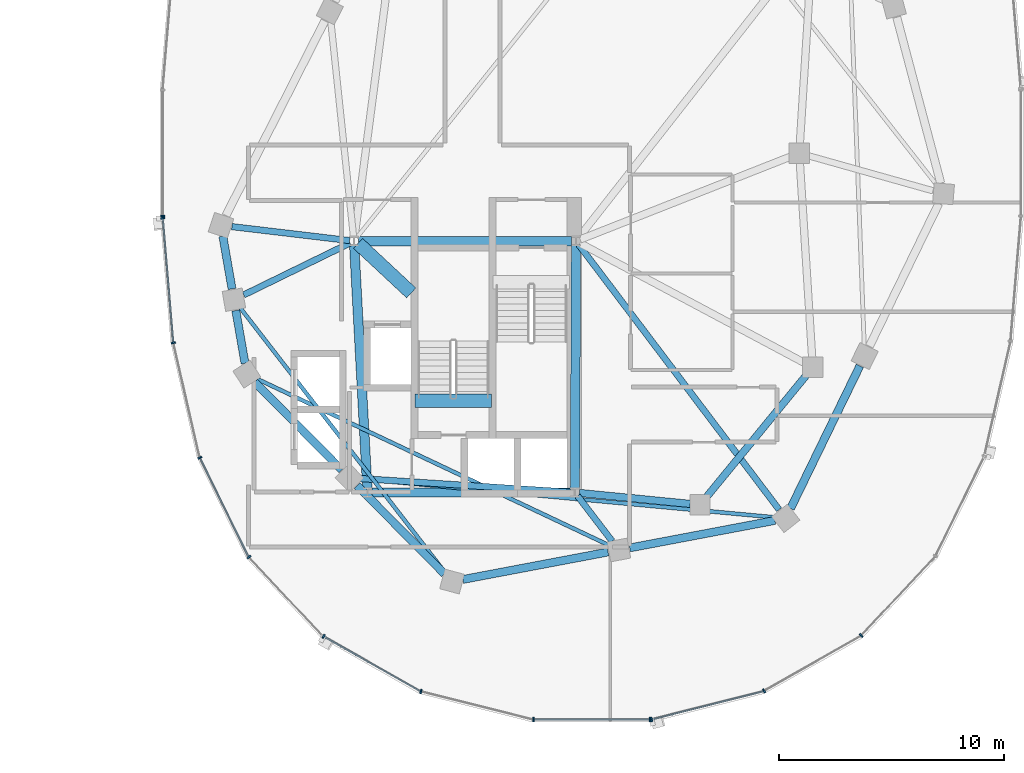
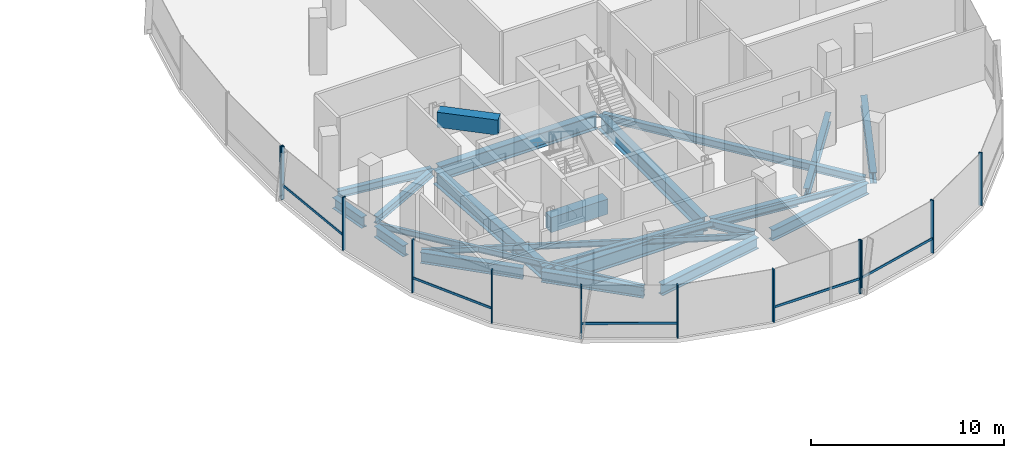
# One storey, part 8 of 25: 23 beams, 17 members, 3 elements without a shape of their own.
"""IFC4 building model written with IfcOpenShell, lengths in metres."""

from ifc_helpers import new_model, si_unit, direction, frame, origin, origin_2d, place, context, subcontext, project, spatial, rectangle, i_section, extrude, material, material_profile, profile_set, type_object, element, aggregate, save


model = new_model("IFC4")

# Units and contexts
model_context = context("Model", 3, precision=1e-05, world=origin(), true_north=direction((0.0, 1.0)))
body_context = subcontext(model_context, "Body", "Model", "MODEL_VIEW")
ifc_project = project(units=[si_unit("LENGTHUNIT", "METRE"), si_unit("AREAUNIT", "SQUARE_METRE"), si_unit("VOLUMEUNIT", "CUBIC_METRE"), si_unit("PLANEANGLEUNIT", "RADIAN"), si_unit("MASSUNIT", "GRAM", prefix="KILO"), si_unit("THERMODYNAMICTEMPERATUREUNIT", "KELVIN"), si_unit("POWERUNIT", "WATT")], contexts=[model_context])

# Site, building, storey
site_placement = place(None, origin())
site = spatial("IfcSite", under=ifc_project, at=site_placement, CompositionType="ELEMENT")
building_placement = place(site_placement, origin())
building = spatial("IfcBuilding", under=site, at=building_placement, Name="Cundina Bronze Exchange", CompositionType="ELEMENT")
storey_placement = place(building_placement, frame((0.0, 0.0, 191.800048828125)))
storey = spatial("IfcBuildingStorey", under=building, at=storey_placement, Name="L50", CompositionType="ELEMENT", Elevation=191.800048828125)

# Beams
ifc_material_1 = material(Name="Concrete C60/75", Category="concrete")
ifc_material_profile_1 = material_profile(ifc_material_1, rectangle(XDim=0.60009765625, YDim=0.949951171875, at=origin_2d()), Name="RC600X950", Category="concrete")
ifc_profile_set_1 = profile_set([ifc_material_profile_1], Name="Concrete C60/75")
beam_type_1 = type_object("IfcBeamType", Name="BM-COUP-RC950", PredefinedType="LINTEL", material=ifc_profile_set_1)
beam_1_placement = place(storey_placement, frame((24.159912109375, -10.97998046875, -0.47509765625), z_axis=(1.0, 0.0, 0.0), x_axis=(0.0, 1.0, 0.0)))
element("IfcBeam", 1, at=beam_1_placement, inside=storey, type_object=beam_type_1, Name="L50 Stair E2 Landing Header Beam", PredefinedType="LINTEL", context=body_context, shape_type="SweptSolid", body=[
    extrude(rectangle(XDim=0.60009765625, YDim=0.949951171875, at=origin_2d()), origin(), (0.0, 0.0, 1.0), 3.400146484375),
])
beam_2_placement = place(storey_placement, frame((21.6298828125, -4.0, 2.864990234375), z_axis=(0.731490439815, -0.681851696822, 0.0), x_axis=(0.681851696822, 0.731490439815, 0.0)))
element("IfcBeam", 2, at=beam_2_placement, inside=storey, type_object=beam_type_1, Name="L50 E Core Shear Coupling Lintel Beam", PredefinedType="LINTEL", context=body_context, shape_type="SweptSolid", body=[
    extrude(rectangle(XDim=0.60009765625, YDim=0.949951171875, at=origin_2d()), origin(), (0.0, 0.0, 1.0), 3.226318359375),
])
ifc_material_2 = material(Name="Steel ASTM A992 Grade 50", Category="steel")
ifc_material_profile_2 = material_profile(ifc_material_2, i_section(OverallWidth=0.280029296875, OverallDepth=0.462890625, WebThickness=0.0107421875, FlangeThickness=0.017333984375, FilletRadius=0.011962890625, at=origin_2d()), Name="W18X76", Category="steel")
ifc_profile_set_2 = profile_set([ifc_material_profile_2], Name="Steel ASTM A992 Grade 50")
beam_type_2 = type_object("IfcBeamType", Name="BM-FLR-W18A", PredefinedType="BEAM", material=ifc_profile_set_2)
beam_3_placement = place(storey_placement, frame((21.25537109375, -3.876953125, -0.491455078125), z_axis=(-0.993035696545, 0.11781385906, 0.0), x_axis=(-0.11781385906, -0.993035696545, 0.0)))
element("IfcBeam", 3, at=beam_3_placement, inside=storey, type_object=beam_type_2, Name="L50 Leg E Chordal Floor Beam 00", PredefinedType="BEAM", context=body_context, shape_type="SweptSolid", body=[
    extrude(i_section(OverallWidth=0.280029296875, OverallDepth=0.462890625, WebThickness=0.0107421875, FlangeThickness=0.017333984375, FilletRadius=0.011962890625, at=origin_2d()), origin(), (0.0, 0.0, 1.0), 5.25732421875),
])
beam_4_placement = place(storey_placement, frame((21.27392578125, -3.986083984375, -0.491455078125), z_axis=(-0.898616200552, -0.438735597035, 0.0), x_axis=(0.438735597035, -0.898616200552, 0.0)))
element("IfcBeam", 4, at=beam_4_placement, inside=storey, type_object=beam_type_2, Name="L50 Leg E Chordal Floor Beam 01", PredefinedType="BEAM", context=body_context, shape_type="SweptSolid", body=[
    extrude(i_section(OverallWidth=0.280029296875, OverallDepth=0.462890625, WebThickness=0.0107421875, FlangeThickness=0.017333984375, FilletRadius=0.011962890625, at=origin_2d()), origin(), (0.0, 0.0, 1.0), 5.241943359375),
])
beam_5_placement = place(storey_placement, frame((31.054443359375, -15.037353515625, -0.491455078125), z_axis=(-0.997893595035, 0.064871973831, 0.0), x_axis=(-0.064871973831, -0.997893595035, 0.0)))
element("IfcBeam", 5, at=beam_5_placement, inside=storey, type_object=beam_type_2, Name="L50 Leg E Chordal Floor Beam 03", PredefinedType="BEAM", context=body_context, shape_type="SweptSolid", body=[
    extrude(i_section(OverallWidth=0.280029296875, OverallDepth=0.462890625, WebThickness=0.0107421875, FlangeThickness=0.017333984375, FilletRadius=0.011962890625, at=origin_2d()), origin(), (0.0, 0.0, 1.0), 9.337158203125),
])
beam_6_placement = place(storey_placement, frame((31.369140625, -15.205810546875, -0.491455078125), z_axis=(0.607442932683, -0.794363319605, 0.0), x_axis=(0.794363319605, 0.607442932683, 0.0)))
element("IfcBeam", 6, at=beam_6_placement, inside=storey, type_object=beam_type_2, Name="L50 Leg E Chordal Floor Beam 05", PredefinedType="BEAM", context=body_context, shape_type="SweptSolid", body=[
    extrude(i_section(OverallWidth=0.280029296875, OverallDepth=0.462890625, WebThickness=0.0107421875, FlangeThickness=0.017333984375, FilletRadius=0.011962890625, at=origin_2d()), origin(), (0.0, 0.0, 1.0), 2.526123046875),
])
beam_7_placement = place(storey_placement, frame((31.418212890625, -4.056396484375, -0.491455078125), z_axis=(0.60310750356, -0.797659914468, 0.0), x_axis=(0.797659914468, 0.60310750356, 0.0)))
element("IfcBeam", 7, at=beam_7_placement, inside=storey, type_object=beam_type_2, Name="L50 Leg E Chordal Floor Beam 06", PredefinedType="BEAM", context=body_context, shape_type="SweptSolid", body=[
    extrude(i_section(OverallWidth=0.280029296875, OverallDepth=0.462890625, WebThickness=0.0107421875, FlangeThickness=0.017333984375, FilletRadius=0.011962890625, at=origin_2d()), origin(), (0.0, 0.0, 1.0), 14.736083984375),
])
ifc_material_profile_3 = material_profile(ifc_material_2, i_section(OverallWidth=0.172119140625, OverallDepth=0.35791015625, WebThickness=0.0078125, FlangeThickness=0.01318359375, FilletRadius=0.010009765625, at=origin_2d()), Name="W14X38", Category="steel")
ifc_profile_set_3 = profile_set([ifc_material_profile_3], Name="Steel ASTM A992 Grade 50")
beam_type_3 = type_object("IfcBeamType", Name="BM-JST-W14", PredefinedType="JOIST", material=ifc_profile_set_3)
beam_8_placement = place(storey_placement, frame((16.423583984375, -6.885986328125, -0.43896484375), z_axis=(0.61208354334, -0.790793105668, 0.0), x_axis=(0.790793105668, 0.61208354334, 0.0)))
element("IfcBeam", 8, at=beam_8_placement, inside=storey, type_object=beam_type_3, Name="L50 Leg E Lobe Floor Joist 01-04", PredefinedType="JOIST", context=body_context, shape_type="SweptSolid", body=[
    extrude(i_section(OverallWidth=0.172119140625, OverallDepth=0.35791015625, WebThickness=0.0078125, FlangeThickness=0.01318359375, FilletRadius=0.010009765625, at=origin_2d()), origin(), (0.0, 0.0, 1.0), 14.830810546875),
])
beam_9_placement = place(storey_placement, frame((17.14111328125, -10.008544921875, -0.43896484375), z_axis=(0.904074252188, -0.427375416385, 0.0), x_axis=(0.427375416385, 0.904074252188, 0.0)))
element("IfcBeam", 9, at=beam_9_placement, inside=storey, type_object=beam_type_3, Name="L50 Leg E Lobe Floor Joist 02-05", PredefinedType="JOIST", context=body_context, shape_type="SweptSolid", body=[
    extrude(i_section(OverallWidth=0.172119140625, OverallDepth=0.35791015625, WebThickness=0.0078125, FlangeThickness=0.01318359375, FilletRadius=0.010009765625, at=origin_2d()), origin(), (0.0, 0.0, 1.0), 17.274658203125),
])
beam_10_placement = place(storey_placement, frame((21.73583984375, -14.4453125, -0.43896484375), z_axis=(0.995701840093, -0.092616659595, 0.0), x_axis=(0.092616659595, 0.995701840093, 0.0)))
element("IfcBeam", 10, at=beam_10_placement, inside=storey, type_object=beam_type_3, Name="L50 Leg E Lobe Floor Joist 03-06", PredefinedType="JOIST", context=body_context, shape_type="SweptSolid", body=[
    extrude(i_section(OverallWidth=0.172119140625, OverallDepth=0.35791015625, WebThickness=0.0078125, FlangeThickness=0.01318359375, FilletRadius=0.010009765625, at=origin_2d()), origin(), (0.0, 0.0, 1.0), 18.45751953125),
])
ifc_material_profile_4 = material_profile(ifc_material_2, i_section(OverallWidth=0.324951171875, OverallDepth=0.615966796875, WebThickness=0.013916015625, FlangeThickness=0.021484375, FilletRadius=0.01611328125, at=origin_2d()), Name="W24X117", Category="steel")
ifc_profile_set_4 = profile_set([ifc_material_profile_4], Name="Steel ASTM A992 Grade 50")
beam_type_4 = type_object("IfcBeamType", Name="BM-RING-W24", PredefinedType="USERDEFINED", material=ifc_profile_set_4)
beam_11_placement = place(storey_placement, frame((31.445068359375, -15.0693359375, -0.568115234375), z_axis=(0.995123854478, -0.09863323096, 0.0), x_axis=(0.09863323096, 0.995123854478, 0.0)))
element("IfcBeam", 11, at=beam_11_placement, inside=storey, type_object=beam_type_4, Name="L50 E Inner Structural Ring Girder 01", ObjectType="GIRDER", PredefinedType="USERDEFINED", context=body_context, shape_type="SweptSolid", body=[
    extrude(i_section(OverallWidth=0.324951171875, OverallDepth=0.615966796875, WebThickness=0.013916015625, FlangeThickness=0.021484375, FilletRadius=0.01611328125, at=origin_2d()), origin(), (0.0, 0.0, 1.0), 4.943115234375),
])
beam_12_placement = place(storey_placement, frame((37.07763671875, -15.26123046875, -0.568115234375), z_axis=(0.633912590175, 0.77340469873, 0.0), x_axis=(-0.77340469873, 0.633912590175, 0.0)))
element("IfcBeam", 12, at=beam_12_placement, inside=storey, type_object=beam_type_4, Name="L50 E Inner Structural Ring Girder 02", ObjectType="GIRDER", PredefinedType="USERDEFINED", context=body_context, shape_type="SweptSolid", body=[
    extrude(i_section(OverallWidth=0.324951171875, OverallDepth=0.615966796875, WebThickness=0.013916015625, FlangeThickness=0.021484375, FilletRadius=0.01611328125, at=origin_2d()), origin(), (0.0, 0.0, 1.0), 7.01123046875),
])
ifc_material_profile_5 = material_profile(ifc_material_2, i_section(OverallWidth=0.35498046875, OverallDepth=0.695068359375, WebThickness=0.015380859375, FlangeThickness=0.02490234375, FilletRadius=0.01806640625, at=origin_2d()), Name="W27X146", Category="steel")
ifc_profile_set_5 = profile_set([ifc_material_profile_5], Name="Steel ASTM A992 Grade 50")
beam_type_5 = type_object("IfcBeamType", Name="BM-RING-W27", PredefinedType="USERDEFINED", material=ifc_profile_set_5)
for number, where, z_axis, x_axis, name in (
    (13, (15.6337890625, -3.680908203125, -0.607666015625), (0.171666718895, -0.985155083032, 0.0), (0.985155083032, 0.171666718895, 0.0), "L50 E Perimeter Ring Girder 00"),
    (14, (16.208740234375, -6.980712890625, -0.607666015625), (0.171666718895, -0.985155083032, 0.0), (0.985155083032, 0.171666718895, 0.0), "L50 E Perimeter Ring Girder 01"),
):
    element("IfcBeam", number, at=place(storey_placement, frame(where, z_axis=z_axis, x_axis=x_axis)), inside=storey, type_object=beam_type_5, Name=name, ObjectType="GIRDER", PredefinedType="USERDEFINED", context=body_context, shape_type="SweptSolid", body=[
        extrude(i_section(OverallWidth=0.35498046875, OverallDepth=0.695068359375, WebThickness=0.015380859375, FlangeThickness=0.02490234375, FilletRadius=0.01806640625, at=origin_2d()), origin(), (0.0, 0.0, 1.0), 2.37353515625),
    ])
beam_13_placement = place(storey_placement, frame((17.043212890625, -10.14697265625, -0.607666015625), z_axis=(0.703230112979, -0.710962311378, 0.0), x_axis=(0.710962311378, 0.703230112979, 0.0)))
element("IfcBeam", 15, at=beam_13_placement, inside=storey, type_object=beam_type_5, Name="L50 E Perimeter Ring Girder 02", ObjectType="GIRDER", PredefinedType="USERDEFINED", context=body_context, shape_type="SweptSolid", body=[
    extrude(i_section(OverallWidth=0.35498046875, OverallDepth=0.695068359375, WebThickness=0.015380859375, FlangeThickness=0.02490234375, FilletRadius=0.01806640625, at=origin_2d()), origin(), (0.0, 0.0, 1.0), 5.493896484375),
])
beam_14_placement = place(storey_placement, frame((21.59326171875, -14.746826171875, -0.607666015625), z_axis=(0.703207895705, -0.710984286337, 0.0), x_axis=(0.710984286337, 0.703207895705, 0.0)))
element("IfcBeam", 16, at=beam_14_placement, inside=storey, type_object=beam_type_5, Name="L50 E Perimeter Ring Girder 03", ObjectType="GIRDER", PredefinedType="USERDEFINED", context=body_context, shape_type="SweptSolid", body=[
    extrude(i_section(OverallWidth=0.35498046875, OverallDepth=0.695068359375, WebThickness=0.015380859375, FlangeThickness=0.02490234375, FilletRadius=0.01806640625, at=origin_2d()), origin(), (0.0, 0.0, 1.0), 5.494140625),
])
beam_15_placement = place(storey_placement, frame((26.279541015625, -18.9091796875, -0.607666015625), z_axis=(0.982571532667, 0.185884865421, 0.0), x_axis=(-0.185884865421, 0.982571532667, 0.0)))
element("IfcBeam", 17, at=beam_15_placement, inside=storey, type_object=beam_type_5, Name="L50 E Perimeter Ring Girder 04", ObjectType="GIRDER", PredefinedType="USERDEFINED", context=body_context, shape_type="SweptSolid", body=[
    extrude(i_section(OverallWidth=0.35498046875, OverallDepth=0.695068359375, WebThickness=0.015380859375, FlangeThickness=0.02490234375, FilletRadius=0.01806640625, at=origin_2d()), origin(), (0.0, 0.0, 1.0), 6.55517578125),
])
beam_16_placement = place(storey_placement, frame((33.679443359375, -17.50927734375, -0.607666015625), z_axis=(0.982572819495, 0.185878063226, 0.0), x_axis=(-0.185878063226, 0.982572819495, 0.0)))
element("IfcBeam", 18, at=beam_16_placement, inside=storey, type_object=beam_type_5, Name="L50 E Perimeter Ring Girder 05", ObjectType="GIRDER", PredefinedType="USERDEFINED", context=body_context, shape_type="SweptSolid", body=[
    extrude(i_section(OverallWidth=0.35498046875, OverallDepth=0.695068359375, WebThickness=0.015380859375, FlangeThickness=0.02490234375, FilletRadius=0.01806640625, at=origin_2d()), origin(), (0.0, 0.0, 1.0), 6.555419921875),
])
beam_17_placement = place(storey_placement, frame((40.8134765625, -15.760986328125, -0.607666015625), z_axis=(0.437196998825, 0.89936576776, 0.0), x_axis=(-0.89936576776, 0.437196998825, 0.0)))
element("IfcBeam", 19, at=beam_17_placement, inside=storey, type_object=beam_type_5, Name="L50 E Perimeter Ring Girder 06", ObjectType="GIRDER", PredefinedType="USERDEFINED", context=body_context, shape_type="SweptSolid", body=[
    extrude(i_section(OverallWidth=0.35498046875, OverallDepth=0.695068359375, WebThickness=0.015380859375, FlangeThickness=0.02490234375, FilletRadius=0.01806640625, at=origin_2d()), origin(), (0.0, 0.0, 1.0), 7.029541015625),
])
ifc_material_profile_6 = material_profile(ifc_material_2, i_section(OverallWidth=0.41796875, OverallDepth=0.927001953125, WebThickness=0.019287109375, FlangeThickness=0.031982421875, FilletRadius=0.02392578125, at=origin_2d()), Name="W36X231", Category="steel")
ifc_profile_set_6 = profile_set([ifc_material_profile_6], Name="Steel ASTM A992 Grade 50")
beam_type_6 = type_object("IfcBeamType", Name="BM-WRN-W36B", PredefinedType="USERDEFINED", material=ifc_profile_set_6)
beam_18_placement = place(storey_placement, frame((31.10400390625, -3.89990234375, -0.7236328125), z_axis=(-1.0, 0.0, 0.0), x_axis=(0.0, -1.0, 0.0)))
element("IfcBeam", 20, at=beam_18_placement, inside=storey, type_object=beam_type_6, Name="L50 E Core Perimeter Tie Girder 1", ObjectType="GIRDER", PredefinedType="USERDEFINED", context=body_context, shape_type="SweptSolid", body=[
    extrude(i_section(OverallWidth=0.41796875, OverallDepth=0.927001953125, WebThickness=0.019287109375, FlangeThickness=0.031982421875, FilletRadius=0.02392578125, at=origin_2d()), origin(), (0.0, 0.0, 1.0), 9.4580078125),
])
beam_19_placement = place(storey_placement, frame((21.46044921875, -4.095703125, -0.7236328125), z_axis=(0.053749317644, -0.998554460634, 0.0), x_axis=(0.998554460634, 0.053749317644, 0.0)))
element("IfcBeam", 21, at=beam_19_placement, inside=storey, type_object=beam_type_6, Name="L50 E Core Perimeter Tie Girder 2", ObjectType="GIRDER", PredefinedType="USERDEFINED", context=body_context, shape_type="SweptSolid", body=[
    extrude(i_section(OverallWidth=0.41796875, OverallDepth=0.927001953125, WebThickness=0.019287109375, FlangeThickness=0.031982421875, FilletRadius=0.02392578125, at=origin_2d()), origin(), (0.0, 0.0, 1.0), 10.774169921875),
])
beam_20_placement = place(storey_placement, frame((22.24609375, -15.050048828125, -0.7236328125), z_axis=(1.0, 0.0, 0.0), x_axis=(0.0, 1.0, 0.0)))
element("IfcBeam", 22, at=beam_20_placement, inside=storey, type_object=beam_type_6, Name="L50 E Core Perimeter Tie Girder 3", ObjectType="GIRDER", PredefinedType="USERDEFINED", context=body_context, shape_type="SweptSolid", body=[
    extrude(i_section(OverallWidth=0.41796875, OverallDepth=0.927001953125, WebThickness=0.019287109375, FlangeThickness=0.031982421875, FilletRadius=0.02392578125, at=origin_2d()), origin(), (0.0, 0.0, 1.0), 8.807861328125),
])
beam_21_placement = place(storey_placement, frame((31.2509765625, -14.85400390625, -0.7236328125), z_axis=(0.004470623654, 0.999990006712, 0.0), x_axis=(-0.999990006712, 0.004470623654, 0.0)))
element("IfcBeam", 23, at=beam_21_placement, inside=storey, type_object=beam_type_6, Name="L50 E Core Perimeter Tie Girder 4", ObjectType="GIRDER", PredefinedType="USERDEFINED", context=body_context, shape_type="SweptSolid", body=[
    extrude(i_section(OverallWidth=0.41796875, OverallDepth=0.927001953125, WebThickness=0.019287109375, FlangeThickness=0.031982421875, FilletRadius=0.02392578125, at=origin_2d()), origin(), (0.0, 0.0, 1.0), 10.758056640625),
])

# Curtain wall, member
ifc_material_3 = material(Name="Anodised Bronze Aluminium 6063-T6", Category="aluminium")
curtain_wall_type = type_object("IfcCurtainWallType", Name="CWS-UPP-OFF", PredefinedType="NOTDEFINED", material=ifc_material_3)
curtain_wall_1_placement = place(storey_placement, origin())
curtain_wall_1 = element("IfcCurtainWall", 24, at=curtain_wall_1_placement, inside=storey, type_object=curtain_wall_type, Name="L50 CW-05 Curtain Wall Run CWR-L50-E2", PredefinedType="NOTDEFINED")
ifc_material_profile_7 = material_profile(ifc_material_3, rectangle(XDim=0.070068359375, YDim=0.18994140625, at=origin_2d()), Name="AL70X190", Category="aluminium")
ifc_profile_set_7 = profile_set([ifc_material_profile_7], Name="Anodised Bronze Aluminium 6063-T6")
member_type_1 = type_object("IfcMemberType", Name="CWM-MUL-190", PredefinedType="MULLION", material=ifc_profile_set_7)
member_1_placement = place(storey_placement, frame((12.966064453125, -2.794921875, 0.0), z_axis=(0.0, 0.0, 1.0), x_axis=(0.0, -1.0, 0.0)))
member_1 = element("IfcMember", 25, at=member_1_placement, type_object=member_type_1, Name="CW-05 End Mullion", PredefinedType="MULLION", context=body_context, shape_type="SweptSolid", body=[
    extrude(rectangle(XDim=0.070068359375, YDim=0.18994140625, at=origin_2d()), origin(), (0.0, 0.0, 1.0), 3.33984375),
])
aggregate(curtain_wall_1, [member_1])

# Curtain wall, members
curtain_wall_2_placement = place(storey_placement, origin())
curtain_wall_2 = element("IfcCurtainWall", 26, at=curtain_wall_2_placement, inside=storey, type_object=curtain_wall_type, Name="L50 CW-05 Curtain Wall Run CWR-L50-E3", PredefinedType="NOTDEFINED")
member_2_placement = place(storey_placement, frame((12.9697265625, -2.88330078125, 0.0), z_axis=(0.0, 0.0, 1.0), x_axis=(0.083677843332, -0.99649285925, 0.0)))
member_2 = element("IfcMember", 27, at=member_2_placement, type_object=member_type_1, Name="CW-05 Mullion 1", PredefinedType="MULLION", context=body_context, shape_type="SweptSolid", body=[
    extrude(rectangle(XDim=0.070068359375, YDim=0.18994140625, at=origin_2d()), origin(), (0.0, 0.0, 1.0), 3.33984375),
])
member_3_placement = place(storey_placement, frame((13.43994140625, -8.4111328125, 0.0), z_axis=(0.0, 0.0, 1.0), x_axis=(0.223250116011, -0.974761194191, 0.0)))
member_3 = element("IfcMember", 28, at=member_3_placement, type_object=member_type_1, Name="CW-05 Mullion 2", PredefinedType="MULLION", context=body_context, shape_type="SweptSolid", body=[
    extrude(rectangle(XDim=0.070068359375, YDim=0.18994140625, at=origin_2d()), origin(), (0.0, 0.0, 1.0), 3.33984375),
])
member_4_placement = place(storey_placement, frame((14.61572265625, -13.50732421875, 0.0), z_axis=(0.0, 0.0, 1.0), x_axis=(0.440566004113, -0.897720221461, 0.0)))
member_4 = element("IfcMember", 29, at=member_4_placement, type_object=member_type_1, Name="CW-05 Mullion 3", PredefinedType="MULLION", context=body_context, shape_type="SweptSolid", body=[
    extrude(rectangle(XDim=0.070068359375, YDim=0.18994140625, at=origin_2d()), origin(), (0.0, 0.0, 1.0), 3.33984375),
])
member_5_placement = place(storey_placement, frame((16.790283203125, -17.91796875, 0.0), z_axis=(0.0, 0.0, 1.0), x_axis=(0.684292606175, -0.729207535023, 0.0)))
member_5 = element("IfcMember", 30, at=member_5_placement, type_object=member_type_1, Name="CW-05 Mullion 4", PredefinedType="MULLION", context=body_context, shape_type="SweptSolid", body=[
    extrude(rectangle(XDim=0.070068359375, YDim=0.18994140625, at=origin_2d()), origin(), (0.0, 0.0, 1.0), 3.33984375),
])
member_6_placement = place(storey_placement, frame((20.100341796875, -21.43115234375, 0.0), z_axis=(0.0, 0.0, 1.0), x_axis=(0.86958112538, -0.493790103568, 0.0)))
member_6 = element("IfcMember", 31, at=member_6_placement, type_object=member_type_1, Name="CW-05 Mullion 5", PredefinedType="MULLION", context=body_context, shape_type="SweptSolid", body=[
    extrude(rectangle(XDim=0.070068359375, YDim=0.18994140625, at=origin_2d()), origin(), (0.0, 0.0, 1.0), 3.33984375),
])
member_7_placement = place(storey_placement, frame((24.422607421875, -23.87548828125, 0.0), z_axis=(0.0, 0.0, 1.0), x_axis=(0.969744325821, -0.244122802168, 0.0)))
member_7 = element("IfcMember", 32, at=member_7_placement, type_object=member_type_1, Name="CW-05 Mullion 6", PredefinedType="MULLION", context=body_context, shape_type="SweptSolid", body=[
    extrude(rectangle(XDim=0.070068359375, YDim=0.18994140625, at=origin_2d()), origin(), (0.0, 0.0, 1.0), 3.33984375),
])
member_8_placement = place(storey_placement, frame((29.419921875, -25.125, 0.0), z_axis=(0.0, 0.0, 1.0), x_axis=(1.0, 0.0, 0.0)))
member_8 = element("IfcMember", 33, at=member_8_placement, type_object=member_type_1, Name="CW-05 Mullion 7", PredefinedType="MULLION", context=body_context, shape_type="SweptSolid", body=[
    extrude(rectangle(XDim=0.070068359375, YDim=0.18994140625, at=origin_2d()), origin(), (0.0, 0.0, 1.0), 3.33984375),
])
member_9_placement = place(storey_placement, frame((34.580078125, -25.125, 0.0), z_axis=(0.0, 0.0, 1.0), x_axis=(1.0, 0.0, 0.0)))
member_9 = element("IfcMember", 34, at=member_9_placement, type_object=member_type_1, Name="CW-05 End Mullion", PredefinedType="MULLION", context=body_context, shape_type="SweptSolid", body=[
    extrude(rectangle(XDim=0.070068359375, YDim=0.18994140625, at=origin_2d()), origin(), (0.0, 0.0, 1.0), 3.33984375),
])

curtain_wall_3_placement = place(storey_placement, origin())
curtain_wall_3 = element("IfcCurtainWall", 35, at=curtain_wall_3_placement, inside=storey, type_object=curtain_wall_type, Name="L50 CW-05 Curtain Wall Run CWR-L50-E4", PredefinedType="NOTDEFINED")
member_10_placement = place(storey_placement, frame((34.6484375, -25.116455078125, 0.0), z_axis=(0.0, 0.0, 1.0), x_axis=(0.969744325821, 0.244122802168, 0.0)))
member_10 = element("IfcMember", 36, at=member_10_placement, type_object=member_type_1, Name="CW-05 Mullion 1", PredefinedType="MULLION", context=body_context, shape_type="SweptSolid", body=[
    extrude(rectangle(XDim=0.070068359375, YDim=0.18994140625, at=origin_2d()), origin(), (0.0, 0.0, 1.0), 3.33984375),
])
member_11_placement = place(storey_placement, frame((39.638916015625, -23.850830078125, 0.0), z_axis=(0.0, 0.0, 1.0), x_axis=(0.86958112538, 0.493790103568, 0.0)))
member_11 = element("IfcMember", 37, at=member_11_placement, type_object=member_type_1, Name="CW-05 Mullion 2", PredefinedType="MULLION", context=body_context, shape_type="SweptSolid", body=[
    extrude(rectangle(XDim=0.070068359375, YDim=0.18994140625, at=origin_2d()), origin(), (0.0, 0.0, 1.0), 3.33984375),
])
member_12_placement = place(storey_placement, frame((43.94873046875, -21.392578125, 0.0), z_axis=(0.0, 0.0, 1.0), x_axis=(0.684292606175, 0.729207535023, 0.0)))
member_12 = element("IfcMember", 38, at=member_12_placement, type_object=member_type_1, Name="CW-05 Mullion 3", PredefinedType="MULLION", context=body_context, shape_type="SweptSolid", body=[
    extrude(rectangle(XDim=0.070068359375, YDim=0.18994140625, at=origin_2d()), origin(), (0.0, 0.0, 1.0), 3.33984375),
])

# Member
ifc_material_profile_8 = material_profile(ifc_material_3, rectangle(XDim=0.06494140625, YDim=0.14990234375, at=origin_2d()), Name="AL65X150", Category="aluminium")
ifc_profile_set_8 = profile_set([ifc_material_profile_8], Name="Anodised Bronze Aluminium 6063-T6")
member_type_2 = type_object("IfcMemberType", Name="CWM-TRN-150", PredefinedType="USERDEFINED", material=ifc_profile_set_8)
member_13_placement = place(storey_placement, frame((12.972900390625, -2.921630859375, 0.919921875), z_axis=(0.083740331158, -0.996487610027, 0.0), x_axis=(0.996487610027, 0.083740331158, 0.0)))
member_13 = element("IfcMember", 39, at=member_13_placement, type_object=member_type_2, Name="CW-05 Spandrel Transom 1", ObjectType="TRANSOM", PredefinedType="USERDEFINED", context=body_context, shape_type="SweptSolid", body=[
    extrude(rectangle(XDim=0.06494140625, YDim=0.14990234375, at=origin_2d()), origin(), (0.0, 0.0, 1.0), 5.466552734375),
])

member_14_placement = place(storey_placement, frame((14.6328125, -13.5419921875, 0.919921875), z_axis=(0.440483110889, -0.897760897467, 0.0), x_axis=(0.897760897467, 0.440483110889, 0.0)))
member_14 = element("IfcMember", 40, at=member_14_placement, type_object=member_type_2, Name="CW-05 Spandrel Transom 3", ObjectType="TRANSOM", PredefinedType="USERDEFINED", context=body_context, shape_type="SweptSolid", body=[
    extrude(rectangle(XDim=0.06494140625, YDim=0.14990234375, at=origin_2d()), origin(), (0.0, 0.0, 1.0), 4.855224609375),
])

member_15_placement = place(storey_placement, frame((20.1337890625, -21.4501953125, 0.919921875), z_axis=(0.869573748083, -0.493803095013, 0.0), x_axis=(0.493803095013, 0.869573748083, 0.0)))
member_15 = element("IfcMember", 41, at=member_15_placement, type_object=member_type_2, Name="CW-05 Spandrel Transom 5", ObjectType="TRANSOM", PredefinedType="USERDEFINED", context=body_context, shape_type="SweptSolid", body=[
    extrude(rectangle(XDim=0.06494140625, YDim=0.14990234375, at=origin_2d()), origin(), (0.0, 0.0, 1.0), 4.900146484375),
])

member_16_placement = place(storey_placement, frame((29.45849609375, -25.125, 0.919921875), z_axis=(1.0, 0.0, 0.0), x_axis=(0.0, 1.0, 0.0)))
member_16 = element("IfcMember", 42, at=member_16_placement, type_object=member_type_2, Name="CW-05 Spandrel Transom 7", ObjectType="TRANSOM", PredefinedType="USERDEFINED", context=body_context, shape_type="SweptSolid", body=[
    extrude(rectangle(XDim=0.06494140625, YDim=0.14990234375, at=origin_2d()), origin(), (0.0, 0.0, 1.0), 5.0830078125),
])

aggregate(curtain_wall_2, [member_2, member_13, member_3, member_4, member_14, member_5, member_6, member_15, member_7, member_8, member_9, member_16])

member_17_placement = place(storey_placement, frame((34.685791015625, -25.107177734375, 0.919921875), z_axis=(0.969725738797, 0.244196624699, 0.0), x_axis=(-0.244196624699, 0.969725738797, 0.0)))
member_17 = element("IfcMember", 43, at=member_17_placement, type_object=member_type_2, Name="CW-05 Spandrel Transom 1", ObjectType="TRANSOM", PredefinedType="USERDEFINED", context=body_context, shape_type="SweptSolid", body=[
    extrude(rectangle(XDim=0.06494140625, YDim=0.14990234375, at=origin_2d()), origin(), (0.0, 0.0, 1.0), 5.082763671875),
])

aggregate(curtain_wall_3, [member_10, member_17, member_11, member_12])

save(model, "model.ifc")
